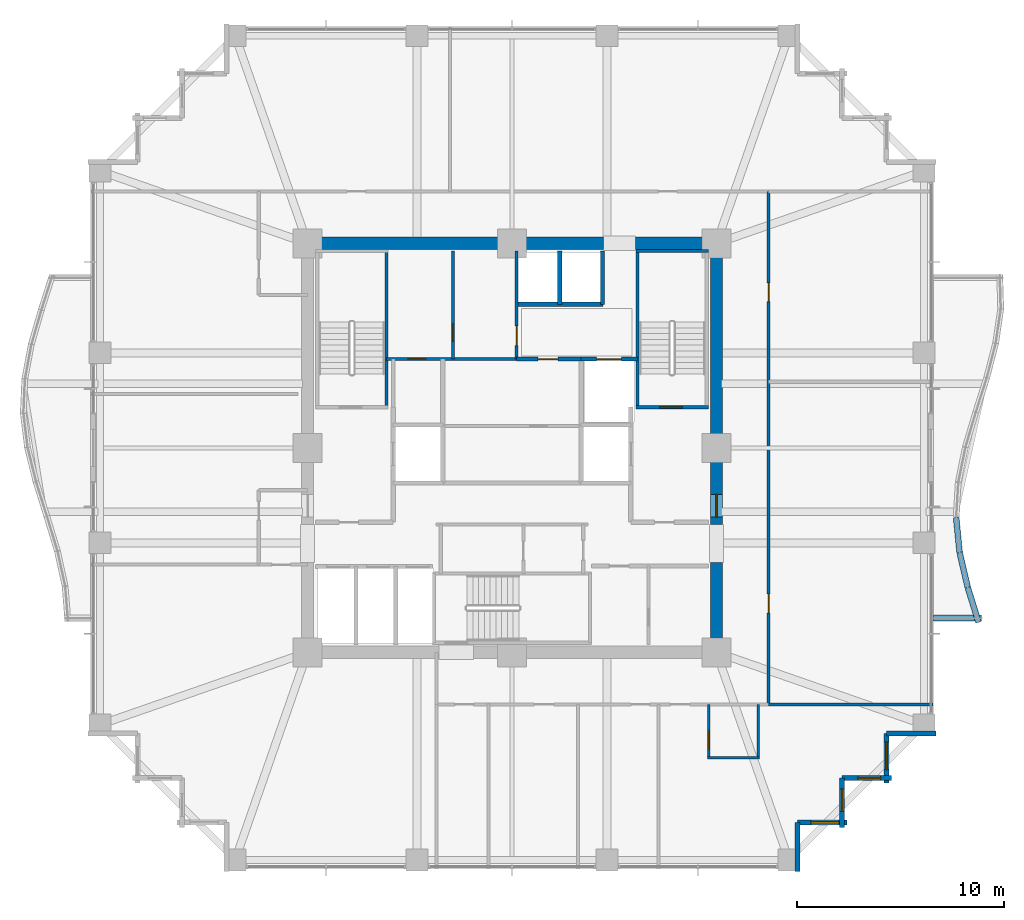
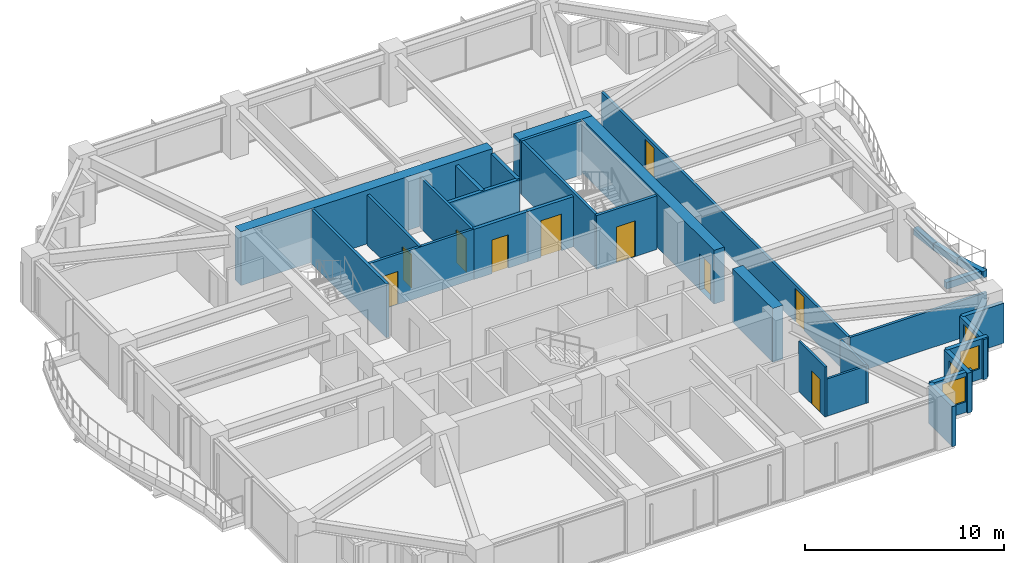
# One storey, part 32 of 36: 31 walls, 10 doors, 4 windows, 14 openings.
"""IFC4 building model written with IfcOpenShell, lengths in metres."""

from ifc_helpers import new_model, si_unit, direction, frame, frame_2d, origin, place, context, subcontext, project, spatial, rectangle, extrude, material, layer, layer_set, type_object, element, fill, save


model = new_model("IFC4")

# Units and contexts
model_context = context("Model", 3, precision=1e-05, world=origin(), true_north=direction((0.0, 1.0)))
body_context = subcontext(model_context, "Body", "Model", "MODEL_VIEW")
ifc_project = project(units=[si_unit("LENGTHUNIT", "METRE"), si_unit("AREAUNIT", "SQUARE_METRE"), si_unit("VOLUMEUNIT", "CUBIC_METRE"), si_unit("PLANEANGLEUNIT", "RADIAN"), si_unit("MASSUNIT", "GRAM", prefix="KILO")], contexts=[model_context])

# Site, building, storey
site_placement = place(None, origin())
site = spatial("IfcSite", under=ifc_project, at=site_placement, CompositionType="ELEMENT")
building_placement = place(site_placement, origin())
building = spatial("IfcBuilding", under=site, at=building_placement, Name="Kolvaren Belvedere", CompositionType="ELEMENT")
storey_placement = place(building_placement, frame((0.0, 0.0, 92.0)))
storey = spatial("IfcBuildingStorey", under=building, at=storey_placement, Name="L26", CompositionType="ELEMENT", Elevation=92.0)

# Walls
ifc_material_1 = material(Name="Concrete C60/75", Category="concrete")
ifc_layer_1 = layer(ifc_material_1, 0.60009765625)
ifc_layer_set_1 = layer_set([ifc_layer_1], Name="Concrete C60/75")
wall_type_1 = type_object("IfcWallType", Name="CW-CORE-600", PredefinedType="SHEAR", material=ifc_layer_set_1)
wall_1_placement = place(storey_placement, frame((-10.199951171875, 9.89990234375, 0.0), z_axis=(0.0, 0.0, 1.0), x_axis=(1.0, 0.0, 0.0)))
element("IfcWall", 1, at=wall_1_placement, inside=storey, type_object=wall_type_1, Name="L26 North Core Shear Wall 1", PredefinedType="SHEAR", context=body_context, shape_type="SweptSolid", body=[
    extrude(rectangle(XDim=14.619873046875, YDim=0.60009765625, at=frame_2d((7.31005859375, 0.0))), origin(), (0.0, 0.0, 1.0), 3.300048828125),
])
wall_2_placement = place(storey_placement, frame((5.97998046875, 9.89990234375, 0.0), z_axis=(0.0, 0.0, 1.0), x_axis=(1.0, 0.0, 0.0)))
element("IfcWall", 2, at=wall_2_placement, inside=storey, type_object=wall_type_1, Name="L26 North Core Shear Wall 2", PredefinedType="SHEAR", context=body_context, shape_type="SweptSolid", body=[
    extrude(rectangle(XDim=4.219970703125, YDim=0.60009765625, at=frame_2d((2.10986328125, 0.0))), origin(), (0.0, 0.0, 1.0), 3.300048828125),
])
wall_3_placement = place(storey_placement, frame((9.89990234375, -9.60009765625, 0.0), z_axis=(0.0, 0.0, 1.0), x_axis=(0.0, 1.0, 0.0)))
element("IfcWall", 3, at=wall_3_placement, inside=storey, type_object=wall_type_1, Name="L26 East Core Shear Wall 1", PredefinedType="SHEAR", context=body_context, shape_type="SweptSolid", body=[
    extrude(rectangle(XDim=4.050048828125, YDim=0.60009765625, at=frame_2d((2.02490234375, 0.0))), origin(), (0.0, 0.0, 1.0), 3.300048828125),
])

# Wall, opening, door
wall_4_placement = place(storey_placement, frame((9.89990234375, -3.699951171875, 0.0), z_axis=(0.0, 0.0, 1.0), x_axis=(0.0, 1.0, 0.0)))
wall_4 = element("IfcWall", 4, at=wall_4_placement, inside=storey, type_object=wall_type_1, Name="L26 East Core Shear Wall 2", PredefinedType="SHEAR", context=body_context, shape_type="SweptSolid", body=[
    extrude(rectangle(XDim=13.300048828125, YDim=0.60009765625, at=frame_2d((6.64990234375, 0.0))), origin(), (0.0, 0.0, 1.0), 3.300048828125),
])
opening_1_placement = place(wall_4_placement, frame((0.35009765625, 0.0, 0.0)))
opening_1 = element("IfcOpeningElement", 5, at=opening_1_placement, cuts=wall_4, Name="Opening D-FD90", PredefinedType="OPENING", context=body_context, shape_type="SweptSolid", body=[
    extrude(rectangle(XDim=1.10009765625, YDim=2.199951171875, at=frame_2d((0.550048828125, 1.10009765625))), frame((0.0, 0.31005859375, 0.0), z_axis=(0.0, -1.0, 0.0), x_axis=(1.0, 0.0, 0.0)), (0.0, 0.0, 1.0), 0.6201171875),
])
ifc_material_2 = material(Name="Painted hollow stainless steel", Category="steel")
door_type_1 = type_object("IfcDoorType", Name="DR-FD90-1100", OperationType="NOTDEFINED", PredefinedType="DOOR", material=ifc_material_2)
door_1_placement = place(opening_1_placement, origin())
door_1 = element("IfcDoor", 6, at=door_1_placement, inside=storey, type_object=door_type_1, Name="L26 East Firefighting Lobby Fire Door", OperationType="SINGLE_SWING_RIGHT", OverallHeight=2.199951171875, OverallWidth=1.10009765625, PredefinedType="DOOR", context=body_context, shape_type="SweptSolid", body=[
    extrude(rectangle(XDim=1.10009765625, YDim=2.199951171875, at=frame_2d((0.550048828125, 1.10009765625))), frame((0.0, 0.02490234375, 0.0), z_axis=(0.0, -1.0, 0.0), x_axis=(1.0, 0.0, 0.0)), (0.0, 0.0, 1.0), 0.050048828125),
])
fill(opening_1, door_1)

# Wall
ifc_material_3 = material(Name="Concrete C50/60", Category="concrete")
ifc_layer_2 = layer(ifc_material_3, 0.159912109375)
ifc_layer_set_2 = layer_set([ifc_layer_2], Name="Concrete C50/60")
wall_type_2 = type_object("IfcWallType", Name="CW-STAIR-160", PredefinedType="SHEAR", material=ifc_layer_set_2)
wall_5_placement = place(storey_placement, frame((-6.080078125, 1.969970703125, 0.0), z_axis=(0.0, 0.0, 1.0), x_axis=(0.0, 1.0, 0.0)))
element("IfcWall", 7, at=wall_5_placement, inside=storey, type_object=wall_type_2, Name="L26 Stair ST-1 East Shear Wall", PredefinedType="SHEAR", context=body_context, shape_type="SweptSolid", body=[
    extrude(rectangle(XDim=7.56005859375, YDim=0.159912109375, at=frame_2d((3.780029296875, 0.0))), origin(), (0.0, 0.0, 1.0), 3.300048828125),
])

# Wall, opening, door
wall_6_placement = place(storey_placement, frame((6.0, 1.969970703125, 0.0), z_axis=(0.0, 0.0, 1.0), x_axis=(1.0, 0.0, 0.0)))
wall_6 = element("IfcWall", 8, at=wall_6_placement, inside=storey, type_object=wall_type_2, Name="L26 Stair ST-2 South Shear Wall", PredefinedType="SHEAR", context=body_context, shape_type="SweptSolid", body=[
    extrude(rectangle(XDim=3.52001953125, YDim=0.159912109375, at=frame_2d((1.760009765625, 0.0))), origin(), (0.0, 0.0, 1.0), 3.300048828125),
])
opening_2_placement = place(wall_6_placement, frame((1.14990234375, 0.0, 0.0)))
opening_2 = element("IfcOpeningElement", 9, at=opening_2_placement, cuts=wall_6, Name="Opening D-FD90", PredefinedType="OPENING", context=body_context, shape_type="SweptSolid", body=[
    extrude(rectangle(XDim=1.10009765625, YDim=2.199951171875, at=frame_2d((0.550048828125, 1.10009765625))), frame((0.0, 0.08984375, 0.0), z_axis=(0.0, -1.0, 0.0), x_axis=(1.0, 0.0, 0.0)), (0.0, 0.0, 1.0), 0.179931640625),
])
door_2_placement = place(opening_2_placement, origin())
door_2 = element("IfcDoor", 10, at=door_2_placement, inside=storey, type_object=door_type_1, Name="L26 Stair ST-2 Fire Door", OperationType="SINGLE_SWING_RIGHT", OverallHeight=2.199951171875, OverallWidth=1.10009765625, PredefinedType="DOOR", context=body_context, shape_type="SweptSolid", body=[
    extrude(rectangle(XDim=1.10009765625, YDim=2.199951171875, at=frame_2d((0.550048828125, 1.10009765625))), frame((0.0, 0.02490234375, 0.0), z_axis=(0.0, -1.0, 0.0), x_axis=(1.0, 0.0, 0.0)), (0.0, 0.0, 1.0), 0.050048828125),
])
fill(opening_2, door_2)

# Walls
wall_7_placement = place(storey_placement, frame((6.0, 9.530029296875, 0.0), z_axis=(0.0, 0.0, 1.0), x_axis=(1.0, 0.0, 0.0)))
element("IfcWall", 11, at=wall_7_placement, inside=storey, type_object=wall_type_2, Name="L26 Stair ST-2 North Shear Wall", PredefinedType="SHEAR", context=body_context, shape_type="SweptSolid", body=[
    extrude(rectangle(XDim=3.52001953125, YDim=0.159912109375, at=frame_2d((1.760009765625, 0.0))), origin(), (0.0, 0.0, 1.0), 3.300048828125),
])
wall_8_placement = place(storey_placement, frame((6.080078125, 1.969970703125, 0.0), z_axis=(0.0, 0.0, 1.0), x_axis=(0.0, 1.0, 0.0)))
element("IfcWall", 12, at=wall_8_placement, inside=storey, type_object=wall_type_2, Name="L26 Stair ST-2 West Shear Wall", PredefinedType="SHEAR", context=body_context, shape_type="SweptSolid", body=[
    extrude(rectangle(XDim=7.56005859375, YDim=0.159912109375, at=frame_2d((3.780029296875, 0.0))), origin(), (0.0, 0.0, 1.0), 3.300048828125),
])

# Wall, openings, doors
ifc_material_4 = material(Name="Gypsum fire-rated partition assembly", Category="gypsum")
ifc_layer_3 = layer(ifc_material_4, 0.14990234375)
ifc_layer_set_3 = layer_set([ifc_layer_3], Name="Gypsum fire-rated partition assembly")
wall_type_3 = type_object("IfcWallType", Name="WL-CORR-150", PredefinedType="PARTITIONING", material=ifc_layer_set_3)
wall_9_placement = place(storey_placement, frame((12.419921875, -12.419921875, 0.0), z_axis=(0.0, 0.0, 1.0), x_axis=(0.0, 1.0, 0.0)))
wall_9 = element("IfcWall", 13, at=wall_9_placement, inside=storey, type_object=wall_type_3, Name="L26 East Corridor Wall", PredefinedType="PARTITIONING", context=body_context, shape_type="SweptSolid", body=[
    extrude(rectangle(XDim=24.83984375, YDim=0.14990234375, at=frame_2d((12.419921875, 0.0))), origin(), (0.0, 0.0, 1.0), 2.2919921875),
])
opening_3_placement = place(wall_9_placement, frame((4.43505859375, 0.0, 0.0)))
opening_3 = element("IfcOpeningElement", 14, at=opening_3_placement, cuts=wall_9, Name="Opening D-INT90", PredefinedType="OPENING", context=body_context, shape_type="SweptSolid", body=[
    extrude(rectangle(XDim=0.89990234375, YDim=2.06005859375, at=frame_2d((0.449951171875, 1.030029296875))), frame((0.0, 0.0849609375, 0.0), z_axis=(0.0, -1.0, 0.0), x_axis=(1.0, 0.0, 0.0)), (0.0, 0.0, 1.0), 0.169921875),
])
opening_4_placement = place(wall_9_placement, frame((19.5048828125, 0.0, 0.0)))
opening_4 = element("IfcOpeningElement", 15, at=opening_4_placement, cuts=wall_9, Name="Opening D-INT90", PredefinedType="OPENING", context=body_context, shape_type="SweptSolid", body=[
    extrude(rectangle(XDim=0.89990234375, YDim=2.06005859375, at=frame_2d((0.449951171875, 1.030029296875))), frame((0.0, 0.0849609375, 0.0), z_axis=(0.0, -1.0, 0.0), x_axis=(1.0, 0.0, 0.0)), (0.0, 0.0, 1.0), 0.169921875),
])
ifc_material_5 = material(Name="Stained Pacific white oak", Category="timber")
door_type_2 = type_object("IfcDoorType", Name="DR-INT-900", OperationType="NOTDEFINED", PredefinedType="DOOR", material=ifc_material_5)
door_3_placement = place(opening_3_placement, origin())
door_3 = element("IfcDoor", 16, at=door_3_placement, inside=storey, type_object=door_type_2, Name="L26 Lounge 2603 Door", OperationType="SINGLE_SWING_RIGHT", OverallHeight=2.06005859375, OverallWidth=0.89990234375, PredefinedType="DOOR", context=body_context, shape_type="SweptSolid", body=[
    extrude(rectangle(XDim=0.89990234375, YDim=2.06005859375, at=frame_2d((0.449951171875, 1.030029296875))), frame((0.0, 0.02490234375, 0.0), z_axis=(0.0, -1.0, 0.0), x_axis=(1.0, 0.0, 0.0)), (0.0, 0.0, 1.0), 0.050048828125),
])
fill(opening_3, door_3)
door_4_placement = place(opening_4_placement, origin())
door_4 = element("IfcDoor", 17, at=door_4_placement, inside=storey, type_object=door_type_2, Name="L26 Guest Tea & Espresso Kitchen 2604 Door", OperationType="SINGLE_SWING_LEFT", OverallHeight=2.06005859375, OverallWidth=0.89990234375, PredefinedType="DOOR", context=body_context, shape_type="SweptSolid", body=[
    extrude(rectangle(XDim=0.89990234375, YDim=2.06005859375, at=frame_2d((0.449951171875, 1.030029296875))), frame((0.0, 0.02490234375, 0.0), z_axis=(0.0, -1.0, 0.0), x_axis=(1.0, 0.0, 0.0)), (0.0, 0.0, 1.0), 0.050048828125),
])
fill(opening_4, door_4)

# Wall
ifc_material_6 = material(Name="Insulated pale-metal facade wall assembly", Category="aluminium")
ifc_layer_4 = layer(ifc_material_6, 0.239990234375)
ifc_layer_set_4 = layer_set([ifc_layer_4], Name="Insulated pale-metal facade wall assembly")
wall_type_4 = type_object("IfcWallType", Name="WL-EXT-240", PredefinedType="STANDARD", material=ifc_layer_set_4)
wall_10_placement = place(storey_placement, frame((13.830078125, -18.1298828125, 0.0), z_axis=(0.0, 0.0, 1.0), x_axis=(0.0, -1.0, 0.0)))
element("IfcWall", 18, at=wall_10_placement, inside=storey, type_object=wall_type_4, Name="L26 Serrated Corner Facade Wall 2", PredefinedType="STANDARD", context=body_context, shape_type="SweptSolid", body=[
    extrude(rectangle(XDim=2.39013671875, YDim=0.239990234375, at=frame_2d((1.195068359375, 0.0))), origin(), (0.0, 0.0, 1.0), 2.458984375),
])

# Wall, opening, window
wall_11_placement = place(storey_placement, frame((16.219970703125, -18.1298828125, 0.0), z_axis=(0.0, 0.0, 1.0), x_axis=(-1.0, 0.0, 0.0)))
wall_11 = element("IfcWall", 19, at=wall_11_placement, inside=storey, type_object=wall_type_4, Name="L26 Serrated Corner Facade Wall 3", PredefinedType="STANDARD", context=body_context, shape_type="SweptSolid", body=[
    extrude(rectangle(XDim=2.389892578125, YDim=0.239990234375, at=frame_2d((1.19482421875, 0.0))), origin(), (0.0, 0.0, 1.0), 2.458984375),
])
opening_5_placement = place(wall_11_placement, frame((0.39990234375, 0.0, 0.64990234375)))
opening_5 = element("IfcOpeningElement", 20, at=opening_5_placement, cuts=wall_11, Name="Opening W-1350", PredefinedType="OPENING", context=body_context, shape_type="SweptSolid", body=[
    extrude(rectangle(XDim=1.35009765625, YDim=1.550048828125, at=frame_2d((0.675048828125, 0.77490234375))), frame((0.0, 0.1298828125, 0.0), z_axis=(0.0, -1.0, 0.0), x_axis=(1.0, 0.0, 0.0)), (0.0, 0.0, 1.0), 0.260009765625),
])
ifc_material_7 = material(Name="Low-iron triple insulated glass", Category="glass")
window_type_1 = type_object("IfcWindowType", Name="WN-CORN-1350", PartitioningType="SINGLE_PANEL", PredefinedType="WINDOW", material=ifc_material_7)
window_1_placement = place(opening_5_placement, origin())
window_1 = element("IfcWindow", 21, at=window_1_placement, inside=storey, type_object=window_type_1, Name="L26 Serrated Corner Vision Window 3", OverallHeight=1.550048828125, OverallWidth=1.35009765625, PartitioningType="SINGLE_PANEL", PredefinedType="WINDOW", context=body_context, shape_type="SweptSolid", body=[
    extrude(rectangle(XDim=1.35009765625, YDim=1.550048828125, at=frame_2d((0.675048828125, 0.77490234375))), frame((0.0, 0.030029296875, 0.0), z_axis=(0.0, -1.0, 0.0), x_axis=(1.0, 0.0, 0.0)), (0.0, 0.0, 1.0), 0.06005859375),
])
fill(opening_5, window_1)

wall_12_placement = place(storey_placement, frame((15.97998046875, -15.97998046875, 0.0), z_axis=(0.0, 0.0, 1.0), x_axis=(0.0, -1.0, 0.0)))
wall_12 = element("IfcWall", 22, at=wall_12_placement, inside=storey, type_object=wall_type_4, Name="L26 Serrated Corner Facade Wall 4", PredefinedType="STANDARD", context=body_context, shape_type="SweptSolid", body=[
    extrude(rectangle(XDim=2.39013671875, YDim=0.239990234375, at=frame_2d((1.195068359375, 0.0))), origin(), (0.0, 0.0, 1.0), 2.458984375),
])
opening_6_placement = place(wall_12_placement, frame((0.52490234375, 0.0, 0.64990234375)))
opening_6 = element("IfcOpeningElement", 23, at=opening_6_placement, cuts=wall_12, Name="Opening W-1100", PredefinedType="OPENING", context=body_context, shape_type="SweptSolid", body=[
    extrude(rectangle(XDim=1.10009765625, YDim=1.449951171875, at=frame_2d((0.550048828125, 0.72509765625))), frame((0.0, 0.1298828125, 0.0), z_axis=(0.0, -1.0, 0.0), x_axis=(1.0, 0.0, 0.0)), (0.0, 0.0, 1.0), 0.260009765625),
])
ifc_material_8 = material(Name="Low-iron triple insulated glass", Category="glass")
window_type_2 = type_object("IfcWindowType", Name="WN-CORN-1100", PartitioningType="SINGLE_PANEL", PredefinedType="WINDOW", material=ifc_material_8)
window_2_placement = place(opening_6_placement, origin())
window_2 = element("IfcWindow", 24, at=window_2_placement, inside=storey, type_object=window_type_2, Name="L26 Serrated Corner Vision Window 4", OverallHeight=1.449951171875, OverallWidth=1.10009765625, PartitioningType="SINGLE_PANEL", PredefinedType="WINDOW", context=body_context, shape_type="SweptSolid", body=[
    extrude(rectangle(XDim=1.10009765625, YDim=1.449951171875, at=frame_2d((0.550048828125, 0.72509765625))), frame((0.0, 0.030029296875, 0.0), z_axis=(0.0, -1.0, 0.0), x_axis=(1.0, 0.0, 0.0)), (0.0, 0.0, 1.0), 0.06005859375),
])
fill(opening_6, window_2)

wall_13_placement = place(storey_placement, frame((18.3701171875, -15.97998046875, 0.0), z_axis=(0.0, 0.0, 1.0), x_axis=(-1.0, 0.0, 0.0)))
wall_13 = element("IfcWall", 25, at=wall_13_placement, inside=storey, type_object=wall_type_4, Name="L26 Serrated Corner Facade Wall 5", PredefinedType="STANDARD", context=body_context, shape_type="SweptSolid", body=[
    extrude(rectangle(XDim=2.39013671875, YDim=0.239990234375, at=frame_2d((1.195068359375, 0.0))), origin(), (0.0, 0.0, 1.0), 2.458984375),
])
opening_7_placement = place(wall_13_placement, frame((0.52490234375, 0.0, 0.64990234375)))
opening_7 = element("IfcOpeningElement", 26, at=opening_7_placement, cuts=wall_13, Name="Opening W-1100", PredefinedType="OPENING", context=body_context, shape_type="SweptSolid", body=[
    extrude(rectangle(XDim=1.10009765625, YDim=1.449951171875, at=frame_2d((0.550048828125, 0.72509765625))), frame((0.0, 0.1298828125, 0.0), z_axis=(0.0, -1.0, 0.0), x_axis=(1.0, 0.0, 0.0)), (0.0, 0.0, 1.0), 0.260009765625),
])
window_3_placement = place(opening_7_placement, origin())
window_3 = element("IfcWindow", 27, at=window_3_placement, inside=storey, type_object=window_type_2, Name="L26 Serrated Corner Vision Window 5", OverallHeight=1.449951171875, OverallWidth=1.10009765625, PartitioningType="SINGLE_PANEL", PredefinedType="WINDOW", context=body_context, shape_type="SweptSolid", body=[
    extrude(rectangle(XDim=1.10009765625, YDim=1.449951171875, at=frame_2d((0.550048828125, 0.72509765625))), frame((0.0, 0.030029296875, 0.0), z_axis=(0.0, -1.0, 0.0), x_axis=(1.0, 0.0, 0.0)), (0.0, 0.0, 1.0), 0.06005859375),
])
fill(opening_7, window_3)

wall_14_placement = place(storey_placement, frame((18.1298828125, -13.830078125, 0.0), z_axis=(0.0, 0.0, 1.0), x_axis=(0.0, -1.0, 0.0)))
wall_14 = element("IfcWall", 28, at=wall_14_placement, inside=storey, type_object=wall_type_4, Name="L26 Serrated Corner Facade Wall 6", PredefinedType="STANDARD", context=body_context, shape_type="SweptSolid", body=[
    extrude(rectangle(XDim=2.389892578125, YDim=0.239990234375, at=frame_2d((1.19482421875, 0.0))), origin(), (0.0, 0.0, 1.0), 2.458984375),
])
opening_8_placement = place(wall_14_placement, frame((0.39990234375, 0.0, 0.64990234375)))
opening_8 = element("IfcOpeningElement", 29, at=opening_8_placement, cuts=wall_14, Name="Opening W-1350", PredefinedType="OPENING", context=body_context, shape_type="SweptSolid", body=[
    extrude(rectangle(XDim=1.35009765625, YDim=1.550048828125, at=frame_2d((0.675048828125, 0.77490234375))), frame((0.0, 0.1298828125, 0.0), z_axis=(0.0, -1.0, 0.0), x_axis=(1.0, 0.0, 0.0)), (0.0, 0.0, 1.0), 0.260009765625),
])
window_4_placement = place(opening_8_placement, origin())
window_4 = element("IfcWindow", 30, at=window_4_placement, inside=storey, type_object=window_type_1, Name="L26 Serrated Corner Vision Window 6", OverallHeight=1.550048828125, OverallWidth=1.35009765625, PartitioningType="SINGLE_PANEL", PredefinedType="WINDOW", context=body_context, shape_type="SweptSolid", body=[
    extrude(rectangle(XDim=1.35009765625, YDim=1.550048828125, at=frame_2d((0.675048828125, 0.77490234375))), frame((0.0, 0.030029296875, 0.0), z_axis=(0.0, -1.0, 0.0), x_axis=(1.0, 0.0, 0.0)), (0.0, 0.0, 1.0), 0.06005859375),
])
fill(opening_8, window_4)

# Wall
wall_15_placement = place(storey_placement, frame((20.52001953125, -13.830078125, 0.0), z_axis=(0.0, 0.0, 1.0), x_axis=(-1.0, 0.0, 0.0)))
element("IfcWall", 31, at=wall_15_placement, inside=storey, type_object=wall_type_4, Name="L26 Serrated Corner Facade Wall 7", PredefinedType="STANDARD", context=body_context, shape_type="SweptSolid", body=[
    extrude(rectangle(XDim=2.39013671875, YDim=0.239990234375, at=frame_2d((1.195068359375, 0.0))), origin(), (0.0, 0.0, 1.0), 2.458984375),
])

# Wall, opening, door
ifc_material_9 = material(Name="Gypsum acoustic partition assembly", Category="gypsum")
ifc_layer_5 = layer(ifc_material_9, 0.14990234375)
ifc_layer_set_5 = layer_set([ifc_layer_5], Name="Gypsum acoustic partition assembly")
wall_type_5 = type_object("IfcWallType", Name="WL-PART-150", PredefinedType="PARTITIONING", material=ifc_layer_set_5)
wall_16_placement = place(storey_placement, frame((-6.080078125, 4.300048828125, 0.0), z_axis=(0.0, 0.0, 1.0), x_axis=(1.0, 0.0, 0.0)))
wall_16 = element("IfcWall", 32, at=wall_16_placement, inside=storey, type_object=wall_type_5, Name="L26 Reclaimed Salon South Wall", PredefinedType="PARTITIONING", context=body_context, shape_type="SweptSolid", body=[
    extrude(rectangle(XDim=6.300048828125, YDim=0.14990234375, at=frame_2d((3.14990234375, 0.0))), origin(), (0.0, 0.0, 1.0), 3.080078125),
])
opening_9_placement = place(wall_16_placement, frame((1.050048828125, 0.0, 0.0)))
opening_9 = element("IfcOpeningElement", 33, at=opening_9_placement, cuts=wall_16, Name="Opening D-INT85", PredefinedType="OPENING", context=body_context, shape_type="SweptSolid", body=[
    extrude(rectangle(XDim=0.85009765625, YDim=2.030029296875, at=frame_2d((0.425048828125, 1.01513671875))), frame((0.0, 0.0849609375, 0.0), z_axis=(0.0, -1.0, 0.0), x_axis=(1.0, 0.0, 0.0)), (0.0, 0.0, 1.0), 0.169921875),
])
ifc_material_10 = material(Name="Stained Pacific white oak", Category="timber")
door_type_3 = type_object("IfcDoorType", Name="DR-INT-850", OperationType="NOTDEFINED", PredefinedType="DOOR", material=ifc_material_10)
door_5_placement = place(opening_9_placement, origin())
door_5 = element("IfcDoor", 34, at=door_5_placement, inside=storey, type_object=door_type_3, Name="L26 NW Core Store Door", OperationType="SINGLE_SWING_RIGHT", OverallHeight=2.030029296875, OverallWidth=0.85009765625, PredefinedType="DOOR", context=body_context, shape_type="SweptSolid", body=[
    extrude(rectangle(XDim=0.85009765625, YDim=2.030029296875, at=frame_2d((0.425048828125, 1.01513671875))), frame((0.0, 0.02490234375, 0.0), z_axis=(0.0, -1.0, 0.0), x_axis=(1.0, 0.0, 0.0)), (0.0, 0.0, 1.0), 0.050048828125),
])
fill(opening_9, door_5)

wall_17_placement = place(storey_placement, frame((0.219970703125, 4.300048828125, 0.0), z_axis=(0.0, 0.0, 1.0), x_axis=(0.0, 1.0, 0.0)))
wall_17 = element("IfcWall", 35, at=wall_17_placement, inside=storey, type_object=wall_type_5, Name="L26 Reclaimed Salon East Wall", PredefinedType="PARTITIONING", context=body_context, shape_type="SweptSolid", body=[
    extrude(rectangle(XDim=5.219970703125, YDim=0.14990234375, at=frame_2d((2.60986328125, 0.0))), origin(), (0.0, 0.0, 1.0), 3.080078125),
])
opening_10_placement = place(wall_17_placement, frame((0.64990234375, 0.0, 0.0)))
opening_10 = element("IfcOpeningElement", 36, at=opening_10_placement, cuts=wall_17, Name="Opening D-INT95", PredefinedType="OPENING", context=body_context, shape_type="SweptSolid", body=[
    extrude(rectangle(XDim=0.949951171875, YDim=2.06005859375, at=frame_2d((0.47509765625, 1.030029296875))), frame((0.0, 0.0849609375, 0.0), z_axis=(0.0, -1.0, 0.0), x_axis=(1.0, 0.0, 0.0)), (0.0, 0.0, 1.0), 0.169921875),
])
ifc_material_11 = material(Name="Stained Pacific white oak", Category="timber")
door_type_4 = type_object("IfcDoorType", Name="DR-INT-950", OperationType="NOTDEFINED", PredefinedType="DOOR", material=ifc_material_11)
door_6_placement = place(opening_10_placement, origin())
door_6 = element("IfcDoor", 37, at=door_6_placement, inside=storey, type_object=door_type_4, Name="L26 Sky Boardroom Door", OperationType="SINGLE_SWING_LEFT", OverallHeight=2.06005859375, OverallWidth=0.949951171875, PredefinedType="DOOR", context=body_context, shape_type="SweptSolid", body=[
    extrude(rectangle(XDim=0.949951171875, YDim=2.06005859375, at=frame_2d((0.47509765625, 1.030029296875))), frame((0.0, 0.02490234375, 0.0), z_axis=(0.0, -1.0, 0.0), x_axis=(1.0, 0.0, 0.0)), (0.0, 0.0, 1.0), 0.050048828125),
])
fill(opening_10, door_6)

wall_18_placement = place(storey_placement, frame((-2.85009765625, 4.300048828125, 0.0), z_axis=(0.0, 0.0, 1.0), x_axis=(0.0, 1.0, 0.0)))
wall_18 = element("IfcWall", 38, at=wall_18_placement, inside=storey, type_object=wall_type_5, Name="L26 Reclaimed Salon Divider", PredefinedType="PARTITIONING", context=body_context, shape_type="SweptSolid", body=[
    extrude(rectangle(XDim=5.219970703125, YDim=0.14990234375, at=frame_2d((2.60986328125, 0.0))), origin(), (0.0, 0.0, 1.0), 3.080078125),
])
opening_11_placement = place(wall_18_placement, frame((0.85009765625, 0.0, 0.0)))
opening_11 = element("IfcOpeningElement", 39, at=opening_11_placement, cuts=wall_18, Name="Opening D-INT85", PredefinedType="OPENING", context=body_context, shape_type="SweptSolid", body=[
    extrude(rectangle(XDim=0.85009765625, YDim=2.030029296875, at=frame_2d((0.425048828125, 1.01513671875))), frame((0.0, 0.0849609375, 0.0), z_axis=(0.0, -1.0, 0.0), x_axis=(1.0, 0.0, 0.0)), (0.0, 0.0, 1.0), 0.169921875),
])
door_7_placement = place(opening_11_placement, origin())
door_7 = element("IfcDoor", 40, at=door_7_placement, inside=storey, type_object=door_type_3, Name="L26 Beverage Pantry Door", OperationType="SINGLE_SWING_RIGHT", OverallHeight=2.030029296875, OverallWidth=0.85009765625, PredefinedType="DOOR", context=body_context, shape_type="SweptSolid", body=[
    extrude(rectangle(XDim=0.85009765625, YDim=2.030029296875, at=frame_2d((0.425048828125, 1.01513671875))), frame((0.0, 0.02490234375, 0.0), z_axis=(0.0, -1.0, 0.0), x_axis=(1.0, 0.0, 0.0)), (0.0, 0.0, 1.0), 0.050048828125),
])
fill(opening_11, door_7)

# Walls
wall_19_placement = place(storey_placement, frame((12.419921875, -12.419921875, 0.0), z_axis=(0.0, 0.0, 1.0), x_axis=(1.0, 0.0, 0.0)))
element("IfcWall", 41, at=wall_19_placement, inside=storey, type_object=wall_type_5, Name="L26 Wing Divider PW-L26-QSE", PredefinedType="PARTITIONING", context=body_context, shape_type="SweptSolid", body=[
    extrude(rectangle(XDim=7.9599609375, YDim=0.14990234375, at=frame_2d((3.97998046875, 0.0))), origin(), (0.0, 0.0, 1.0), 2.2919921875),
])
ifc_material_12 = material(Name="Precast concrete C40/50", Category="concrete")
ifc_layer_6 = layer(ifc_material_12, 0.300048828125)
ifc_layer_set_6 = layer_set([ifc_layer_6], Name="Precast concrete C40/50")
wall_type_6 = type_object("IfcWallType", Name="WL-PLANTER-300", PredefinedType="PARAPET", material=ifc_layer_set_6)
wall_20_placement = place(storey_placement, frame((22.587158203125, -8.447265625, -0.0400390625), z_axis=(0.0, 0.0, 1.0), x_axis=(-0.295831524561, 0.95524013163, 0.0)))
element("IfcWall", 42, at=wall_20_placement, inside=storey, type_object=wall_type_6, Name="L26 Precast Structural Planter Wall BAL-E-1", PredefinedType="PARAPET", context=body_context, shape_type="SweptSolid", body=[
    extrude(rectangle(XDim=1.758544921875, YDim=0.280029296875, at=frame_2d((0.87939453125, 0.0))), origin(), (0.0, 0.0, 1.0), 0.419921875),
])
wall_21_placement = place(storey_placement, frame((22.06396484375, -6.75634765625, -0.0400390625), z_axis=(0.0, 0.0, 1.0), x_axis=(-0.227019323824, 0.973890253884, 0.0)))
element("IfcWall", 43, at=wall_21_placement, inside=storey, type_object=wall_type_6, Name="L26 Precast Structural Planter Wall BAL-E-2", PredefinedType="PARAPET", context=body_context, shape_type="SweptSolid", body=[
    extrude(rectangle(XDim=1.724853515625, YDim=0.280029296875, at=frame_2d((0.8623046875, 0.0))), origin(), (0.0, 0.0, 1.0), 0.419921875),
])
wall_22_placement = place(storey_placement, frame((21.6689453125, -5.0556640625, -0.0400390625), z_axis=(0.0, 0.0, 1.0), x_axis=(-0.098343801694, 0.995152499202, 0.0)))
element("IfcWall", 44, at=wall_22_placement, inside=storey, type_object=wall_type_6, Name="L26 Precast Structural Planter Wall BAL-E-3", PredefinedType="PARAPET", context=body_context, shape_type="SweptSolid", body=[
    extrude(rectangle(XDim=1.688232421875, YDim=0.280029296875, at=frame_2d((0.84423828125, 0.0))), origin(), (0.0, 0.0, 1.0), 0.419921875),
])
wall_23_placement = place(storey_placement, frame((20.39990234375, -8.239990234375, -0.0400390625), z_axis=(0.0, 0.0, 1.0), x_axis=(1.0, 0.0, 0.0)))
element("IfcWall", 45, at=wall_23_placement, inside=storey, type_object=wall_type_6, Name="L26 Precast Structural Planter Wall BAL-E-22", PredefinedType="PARAPET", context=body_context, shape_type="SweptSolid", body=[
    extrude(rectangle(XDim=2.340087890625, YDim=0.280029296875, at=frame_2d((1.169921875, 0.0))), origin(), (0.0, 0.0, 1.0), 0.419921875),
])

# Wall, opening, door
ifc_material_13 = material(Name="Concrete C50/60", Category="concrete")
ifc_layer_7 = layer(ifc_material_13, 0.199951171875)
ifc_layer_set_7 = layer_set([ifc_layer_7], Name="Concrete C50/60")
wall_type_7 = type_object("IfcWallType", Name="WL-SHAFT-200", PredefinedType="SOLIDWALL", material=ifc_layer_set_7)
wall_24_placement = place(storey_placement, frame((3.35009765625, 4.300048828125, 0.0), z_axis=(0.0, 0.0, 1.0), x_axis=(1.0, 0.0, 0.0)))
wall_24 = element("IfcWall", 46, at=wall_24_placement, inside=storey, type_object=wall_type_7, Name="L26 Service Lift SV1 Front Wall", PredefinedType="SOLIDWALL", context=body_context, shape_type="SweptSolid", body=[
    extrude(rectangle(XDim=2.72998046875, YDim=0.199951171875, at=frame_2d((1.364990234375, 0.0))), origin(), (0.0, 0.0, 1.0), 3.080078125),
])
opening_12_placement = place(wall_24_placement, frame((0.75, 0.0, 0.0)))
opening_12 = element("IfcOpeningElement", 47, at=opening_12_placement, cuts=wall_24, Name="Opening LD-12", PredefinedType="OPENING", context=body_context, shape_type="SweptSolid", body=[
    extrude(rectangle(XDim=1.199951171875, YDim=2.25, at=frame_2d((0.60009765625, 1.125))), frame((0.0, 0.10986328125, 0.0), z_axis=(0.0, -1.0, 0.0), x_axis=(1.0, 0.0, 0.0)), (0.0, 0.0, 1.0), 0.219970703125),
])
ifc_material_14 = material(Name="Brushed stainless steel", Category="steel")
door_type_5 = type_object("IfcDoorType", Name="DR-LIFT-1200", OperationType="DOUBLE_DOOR_SLIDING", PredefinedType="DOOR", material=ifc_material_14)
door_8_placement = place(opening_12_placement, origin())
door_8 = element("IfcDoor", 48, at=door_8_placement, inside=storey, type_object=door_type_5, Name="L26 Service Lift SV1 Landing Door", OperationType="DOUBLE_DOOR_SLIDING", OverallHeight=2.25, OverallWidth=1.199951171875, PredefinedType="DOOR", context=body_context, shape_type="SweptSolid", body=[
    extrude(rectangle(XDim=1.199951171875, YDim=2.25, at=frame_2d((0.60009765625, 1.125))), frame((0.0, 0.02490234375, 0.0), z_axis=(0.0, -1.0, 0.0), x_axis=(1.0, 0.0, 0.0)), (0.0, 0.0, 1.0), 0.050048828125),
])
fill(opening_12, door_8)

# Walls
wall_25_placement = place(storey_placement, frame((0.219970703125, 6.949951171875, 0.0), z_axis=(0.0, 0.0, 1.0), x_axis=(1.0, 0.0, 0.0)))
element("IfcWall", 49, at=wall_25_placement, inside=storey, type_object=wall_type_7, Name="L26 Express Shuttle Hoistway Wall", PredefinedType="SOLIDWALL", context=body_context, shape_type="SweptSolid", body=[
    extrude(rectangle(XDim=4.179931640625, YDim=0.199951171875, at=frame_2d((2.08984375, 0.0))), origin(), (0.0, 0.0, 1.0), 3.080078125),
])
for number, where, z_axis, x_axis, name in (
    (50, (4.3798828125, 6.949951171875, 0.0), (0.0, 0.0, 1.0), (0.0, 1.0, 0.0), "L26 Express Shuttle East Wall"),
    (51, (2.31005859375, 6.949951171875, 0.0), (0.0, 0.0, 1.0), (0.0, 1.0, 0.0), "L26 Express Shuttle Divider"),
):
    element("IfcWall", number, at=place(storey_placement, frame(where, z_axis=z_axis, x_axis=x_axis)), inside=storey, type_object=wall_type_7, Name=name, PredefinedType="SOLIDWALL", context=body_context, shape_type="SweptSolid", body=[
        extrude(rectangle(XDim=2.570068359375, YDim=0.199951171875, at=frame_2d((1.28515625, 0.0))), origin(), (0.0, 0.0, 1.0), 3.080078125),
    ])

# Wall, opening, door
wall_26_placement = place(storey_placement, frame((0.219970703125, 4.300048828125, 0.0), z_axis=(0.0, 0.0, 1.0), x_axis=(1.0, 0.0, 0.0)))
wall_26 = element("IfcWall", 52, at=wall_26_placement, inside=storey, type_object=wall_type_7, Name="L26 Central Core Room North Wall", PredefinedType="SOLIDWALL", context=body_context, shape_type="SweptSolid", body=[
    extrude(rectangle(XDim=3.130126953125, YDim=0.199951171875, at=frame_2d((1.56494140625, 0.0))), origin(), (0.0, 0.0, 1.0), 3.080078125),
])
opening_13_placement = place(wall_26_placement, frame((1.050048828125, 0.0, 0.0)))
opening_13 = element("IfcOpeningElement", 53, at=opening_13_placement, cuts=wall_26, Name="Opening D-FD60", PredefinedType="OPENING", context=body_context, shape_type="SweptSolid", body=[
    extrude(rectangle(XDim=0.949951171875, YDim=2.06005859375, at=frame_2d((0.47509765625, 1.030029296875))), frame((0.0, 0.10986328125, 0.0), z_axis=(0.0, -1.0, 0.0), x_axis=(1.0, 0.0, 0.0)), (0.0, 0.0, 1.0), 0.219970703125),
])
ifc_material_15 = material(Name="Acoustic white-oak fire door leaf", Category="timber")
door_type_6 = type_object("IfcDoorType", Name="DR-FD60-950", OperationType="NOTDEFINED", PredefinedType="DOOR", material=ifc_material_15)
door_9_placement = place(opening_13_placement, origin())
door_9 = element("IfcDoor", 54, at=door_9_placement, inside=storey, type_object=door_type_6, Name="L26 Central Core Controls Door", OperationType="SINGLE_SWING_LEFT", OverallHeight=2.06005859375, OverallWidth=0.949951171875, PredefinedType="DOOR", context=body_context, shape_type="SweptSolid", body=[
    extrude(rectangle(XDim=0.949951171875, YDim=2.06005859375, at=frame_2d((0.47509765625, 1.030029296875))), frame((0.0, 0.02490234375, 0.0), z_axis=(0.0, -1.0, 0.0), x_axis=(1.0, 0.0, 0.0)), (0.0, 0.0, 1.0), 0.050048828125),
])
fill(opening_13, door_9)

ifc_material_16 = material(Name="Moisture-resistant gypsum partition", Category="gypsum")
ifc_layer_8 = layer(ifc_material_16, 0.125)
ifc_layer_set_8 = layer_set([ifc_layer_8], Name="Moisture-resistant gypsum partition")
wall_type_8 = type_object("IfcWallType", Name="WL-WET-125", PredefinedType="PARTITIONING", material=ifc_layer_set_8)
wall_27_placement = place(storey_placement, frame((9.530029296875, -15.074951171875, 0.0), z_axis=(0.0, 0.0, 1.0), x_axis=(0.0, 1.0, 0.0)))
wall_27 = element("IfcWall", 55, at=wall_27_placement, inside=storey, type_object=wall_type_8, Name="L26 Bathroom Partition PW-L26-BTH-9-E", PredefinedType="PARTITIONING", context=body_context, shape_type="SweptSolid", body=[
    extrude(rectangle(XDim=2.639892578125, YDim=0.125, at=frame_2d((1.31982421875, 0.0))), origin(), (0.0, 0.0, 1.0), 3.080078125),
])
opening_14_placement = place(wall_27_placement, frame((0.5, 0.0, 0.0)))
opening_14 = element("IfcOpeningElement", 56, at=opening_14_placement, cuts=wall_27, Name="Opening D-BTH85", PredefinedType="OPENING", context=body_context, shape_type="SweptSolid", body=[
    extrude(rectangle(XDim=0.85009765625, YDim=2.030029296875, at=frame_2d((0.425048828125, 1.01513671875))), frame((0.0, 0.072509765625, 0.0), z_axis=(0.0, -1.0, 0.0), x_axis=(1.0, 0.0, 0.0)), (0.0, 0.0, 1.0), 0.14501953125),
])
ifc_material_17 = material(Name="Moisture-sealed Pacific white oak", Category="timber")
door_type_7 = type_object("IfcDoorType", Name="DR-BATH-850", OperationType="NOTDEFINED", PredefinedType="DOOR", material=ifc_material_17)
door_10_placement = place(opening_14_placement, origin())
door_10 = element("IfcDoor", 57, at=door_10_placement, inside=storey, type_object=door_type_7, Name="L26 En-Suite Bathroom 2609 Door", OperationType="SINGLE_SWING_RIGHT", OverallHeight=2.030029296875, OverallWidth=0.85009765625, PredefinedType="DOOR", context=body_context, shape_type="SweptSolid", body=[
    extrude(rectangle(XDim=0.85009765625, YDim=2.030029296875, at=frame_2d((0.425048828125, 1.01513671875))), frame((0.0, 0.02490234375, 0.0), z_axis=(0.0, -1.0, 0.0), x_axis=(1.0, 0.0, 0.0)), (0.0, 0.0, 1.0), 0.050048828125),
])
fill(opening_14, door_10)

# Walls
wall_28_placement = place(storey_placement, frame((9.469970703125, -14.9951171875, 0.0), z_axis=(0.0, 0.0, 1.0), x_axis=(1.0, 0.0, 0.0)))
element("IfcWall", 58, at=wall_28_placement, inside=storey, type_object=wall_type_8, Name="L26 Bathroom Partition PW-L26-BTH-9-H", PredefinedType="PARTITIONING", context=body_context, shape_type="SweptSolid", body=[
    extrude(rectangle(XDim=2.52001953125, YDim=0.125, at=frame_2d((1.260009765625, 0.0))), origin(), (0.0, 0.0, 1.0), 2.2919921875),
])
wall_29_placement = place(storey_placement, frame((11.929931640625, -15.074951171875, 0.0), z_axis=(0.0, 0.0, 1.0), x_axis=(0.0, 1.0, 0.0)))
element("IfcWall", 59, at=wall_29_placement, inside=storey, type_object=wall_type_8, Name="L26 Bathroom Partition PW-L26-BTH-9-W", PredefinedType="PARTITIONING", context=body_context, shape_type="SweptSolid", body=[
    extrude(rectangle(XDim=2.639892578125, YDim=0.125, at=frame_2d((1.31982421875, 0.0))), origin(), (0.0, 0.0, 1.0), 2.2919921875),
])

save(model, "model.ifc")
